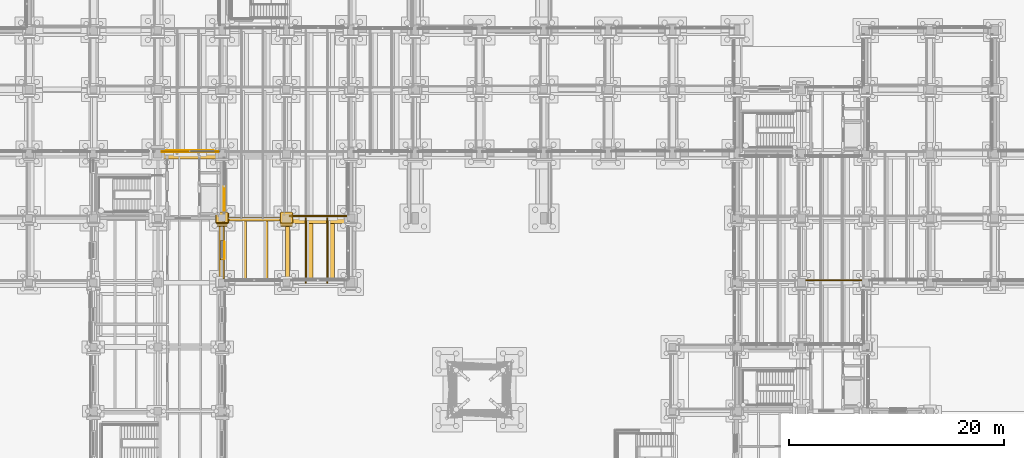
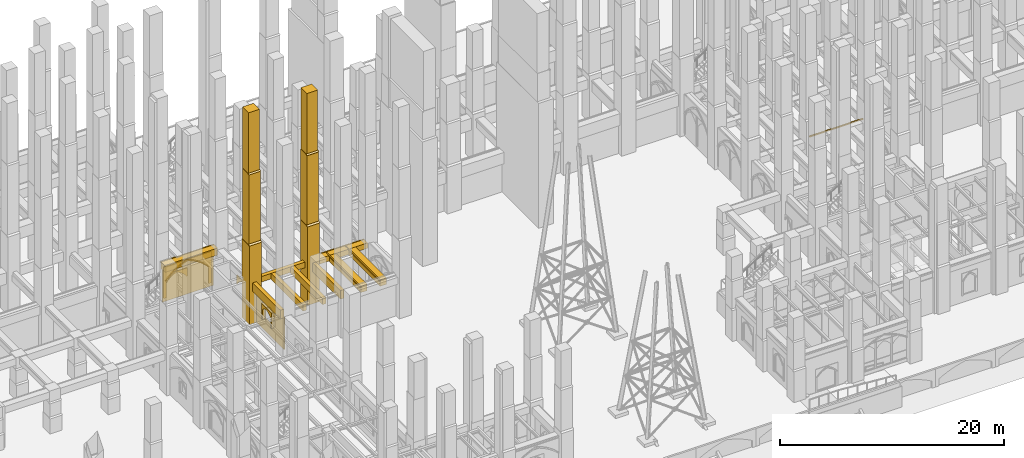
# One storey, part 108 of 135: 32 coverings.
"""IFC4 building model written with IfcOpenShell, lengths in metres."""

from ifc_helpers import new_model, si_unit, direction, frame, origin, origin_2d, place, context, subcontext, project, spatial, polyline, rectangle, outline, extrude, material, type_object, element, save


model = new_model("IFC4")

# Units and contexts
model_context = context("Model", 3, precision=1e-05, world=origin(), true_north=direction((0.0, 1.0)))
body_context = subcontext(model_context, "Body", "Model", "MODEL_VIEW")
ifc_project = project(units=[si_unit("LENGTHUNIT", "METRE"), si_unit("AREAUNIT", "SQUARE_METRE"), si_unit("VOLUMEUNIT", "CUBIC_METRE"), si_unit("PLANEANGLEUNIT", "RADIAN"), si_unit("MASSUNIT", "GRAM", prefix="KILO")], contexts=[model_context])

# Site, building, storey
site_placement = place(None, origin())
site = spatial("IfcSite", under=ifc_project, at=site_placement, CompositionType="ELEMENT")
building_placement = place(site_placement, origin())
building = spatial("IfcBuilding", under=site, at=building_placement, Name="Cumevento Cable Car Station", CompositionType="ELEMENT")
storey_placement = place(building_placement, origin())
storey = spatial("IfcBuildingStorey", under=building, at=storey_placement, Name="L01", CompositionType="ELEMENT", Elevation=0.0)

# Coverings
ifc_material = material(Name="Gnaisse Facoidal Stone Ashlar 85 MPa", Category="masonry")
covering_type = type_object("IfcCoveringType", Name="Gnaisse Ashlar Cladding CV-CL01", PredefinedType="CLADDING", material=ifc_material)
covering_1_placement = place(storey_placement, frame((70.0, 38.909912109375, -0.06005859375), z_axis=(0.0, 0.0, 1.0), x_axis=(1.0, 0.0, 0.0)))
element("IfcCovering", 1, at=covering_1_placement, inside=storey, type_object=covering_type, Name="Stepped Gothic Stone Buttress Tier 1 bt:70.0:39.0", PredefinedType="CLADDING", context=body_context, shape_type="SweptSolid", body=[
    extrude(rectangle(XDim=1.239990234375, YDim=1.300048828125, at=origin_2d()), origin(), (0.0, 0.0, 1.0), 8.595703125),
])
covering_2_placement = place(storey_placement, frame((69.360107421875, 38.239990234375, 8.515625), z_axis=(0.0, -0.711135781079, 0.703054692658), x_axis=(1.0, 0.0, 0.0)))
element("IfcCovering", 2, at=covering_2_placement, inside=storey, type_object=covering_type, Name="Gothic Buttress Sloped Stone Weathering 1 bt:70.0:39.0", PredefinedType="CLADDING", context=body_context, shape_type="SweptSolid", body=[
    extrude(outline(polyline([(0.0, 0.0), (1.27978515625, 0.0), (1.27978515625, 0.24169083397703695), (0.0, 0.24169083397703695), (0.0, 0.0)])), origin(), (0.0, 0.0, -1.0), 0.090087890625),
])
covering_3_placement = place(storey_placement, frame((70.0, 38.969970703125, 8.0830078125), z_axis=(0.0, 0.0, 1.0), x_axis=(1.0, 0.0, 0.0)))
element("IfcCovering", 3, at=covering_3_placement, inside=storey, type_object=covering_type, Name="Stepped Gothic Stone Buttress Tier 2 bt:70.0:39.0", PredefinedType="CLADDING", context=body_context, shape_type="SweptSolid", body=[
    extrude(rectangle(XDim=1.179931640625, YDim=1.179931640625, at=origin_2d()), origin(), (0.0, 0.0, 1.0), 8.143310546875),
])
covering_4_placement = place(storey_placement, frame((69.389892578125, 38.360107421875, 16.206298828125), z_axis=(0.0, -0.714474823669, 0.699661151089), x_axis=(1.0, 0.0, 0.0)))
element("IfcCovering", 4, at=covering_4_placement, inside=storey, type_object=covering_type, Name="Gothic Buttress Sloped Stone Weathering 2 bt:70.0:39.0", PredefinedType="CLADDING", context=body_context, shape_type="SweptSolid", body=[
    extrude(outline(polyline([(0.0, 0.0), (1.22021484375, 0.0), (1.22021484375, 0.21424991728737655), (0.0, 0.21424991728737655), (0.0, 0.0)])), origin(), (0.0, 0.0, -1.0), 0.090087890625),
])
covering_5_placement = place(storey_placement, frame((70.0, 39.02001953125, 15.77392578125), z_axis=(0.0, 0.0, 1.0), x_axis=(1.0, 0.0, 0.0)))
element("IfcCovering", 5, at=covering_5_placement, inside=storey, type_object=covering_type, Name="Stepped Gothic Stone Buttress Tier 3 bt:70.0:39.0", PredefinedType="CLADDING", context=body_context, shape_type="SweptSolid", body=[
    extrude(rectangle(XDim=1.1201171875, YDim=1.080078125, at=origin_2d()), origin(), (0.0, 0.0, 1.0), 7.1259765625),
])
covering_6_placement = place(storey_placement, frame((76.0, 38.909912109375, -0.06005859375), z_axis=(0.0, 0.0, 1.0), x_axis=(1.0, 0.0, 0.0)))
element("IfcCovering", 6, at=covering_6_placement, inside=storey, type_object=covering_type, Name="Stepped Gothic Stone Buttress Tier 1 bt:76.0:39.0", PredefinedType="CLADDING", context=body_context, shape_type="SweptSolid", body=[
    extrude(rectangle(XDim=1.239990234375, YDim=1.300048828125, at=origin_2d()), origin(), (0.0, 0.0, 1.0), 8.595703125),
])
covering_7_placement = place(storey_placement, frame((75.360107421875, 38.239990234375, 8.515625), z_axis=(0.0, -0.711135781079, 0.703054692658), x_axis=(1.0, 0.0, 0.0)))
element("IfcCovering", 7, at=covering_7_placement, inside=storey, type_object=covering_type, Name="Gothic Buttress Sloped Stone Weathering 1 bt:76.0:39.0", PredefinedType="CLADDING", context=body_context, shape_type="SweptSolid", body=[
    extrude(outline(polyline([(0.0, 0.0), (1.27978515625, 0.0), (1.27978515625, 0.24169083397703695), (0.0, 0.24169083397703695), (0.0, 0.0)])), origin(), (0.0, 0.0, -1.0), 0.090087890625),
])
covering_8_placement = place(storey_placement, frame((76.0, 38.969970703125, 8.0830078125), z_axis=(0.0, 0.0, 1.0), x_axis=(1.0, 0.0, 0.0)))
element("IfcCovering", 8, at=covering_8_placement, inside=storey, type_object=covering_type, Name="Stepped Gothic Stone Buttress Tier 2 bt:76.0:39.0", PredefinedType="CLADDING", context=body_context, shape_type="SweptSolid", body=[
    extrude(rectangle(XDim=1.179931640625, YDim=1.179931640625, at=origin_2d()), origin(), (0.0, 0.0, 1.0), 8.143310546875),
])
covering_9_placement = place(storey_placement, frame((75.389892578125, 38.360107421875, 16.206298828125), z_axis=(0.0, -0.714474823669, 0.699661151089), x_axis=(1.0, 0.0, 0.0)))
element("IfcCovering", 9, at=covering_9_placement, inside=storey, type_object=covering_type, Name="Gothic Buttress Sloped Stone Weathering 2 bt:76.0:39.0", PredefinedType="CLADDING", context=body_context, shape_type="SweptSolid", body=[
    extrude(outline(polyline([(0.0, 0.0), (1.22021484375, 0.0), (1.22021484375, 0.21424991728737655), (0.0, 0.21424991728737655), (0.0, 0.0)])), origin(), (0.0, 0.0, -1.0), 0.090087890625),
])
covering_10_placement = place(storey_placement, frame((76.0, 39.02001953125, 15.77392578125), z_axis=(0.0, 0.0, 1.0), x_axis=(1.0, 0.0, 0.0)))
element("IfcCovering", 10, at=covering_10_placement, inside=storey, type_object=covering_type, Name="Stepped Gothic Stone Buttress Tier 3 bt:76.0:39.0", PredefinedType="CLADDING", context=body_context, shape_type="SweptSolid", body=[
    extrude(rectangle(XDim=1.1201171875, YDim=1.080078125, at=origin_2d()), origin(), (0.0, 0.0, 1.0), 7.1259765625),
])
covering_11_placement = place(storey_placement, frame((69.909912109375, 36.012451171875, 3.44189453125), z_axis=(0.0, 0.0, 1.0), x_axis=(0.0, -1.0, 0.0)))
element("IfcCovering", 11, at=covering_11_placement, inside=storey, type_object=covering_type, Name="Gothic Stone Spandrel Stringcourse sc:0039", PredefinedType="CLADDING", context=body_context, shape_type="SweptSolid", body=[
    extrude(rectangle(XDim=5.385009765625, YDim=0.3798828125, at=origin_2d()), origin(), (0.0, 0.0, 1.0), 0.947998046875),
])
covering_12_placement = place(storey_placement, frame((67.0, 44.85009765625, 3.636962890625), z_axis=(0.0, 0.0, 1.0), x_axis=(1.0, 0.0, 0.0)))
element("IfcCovering", 12, at=covering_12_placement, inside=storey, type_object=covering_type, Name="Gothic Stone Spandrel Stringcourse sc:0041", PredefinedType="CLADDING", context=body_context, shape_type="SweptSolid", body=[
    extrude(rectangle(XDim=5.43994140625, YDim=0.659912109375, at=origin_2d()), origin(), (0.0, 0.0, 1.0), 0.7529296875),
])
covering_13_placement = place(storey_placement, frame((67.0, 45.20751953125, 4.260009765625), z_axis=(0.0, 0.0, 1.0), x_axis=(1.0, 0.0, 0.0)))
element("IfcCovering", 13, at=covering_13_placement, inside=storey, type_object=covering_type, Name="Gothic Cornice Dripstone Lip sc:0041", PredefinedType="CLADDING", context=body_context, shape_type="SweptSolid", body=[
    extrude(rectangle(XDim=5.47998046875, YDim=0.114990234375, at=origin_2d()), origin(), (0.0, 0.0, 1.0), 0.1298828125),
])
covering_14_placement = place(storey_placement, frame((72.96240234375, 38.909912109375, 3.783935546875), z_axis=(0.0, 0.0, 1.0), x_axis=(1.0, 0.0, 0.0)))
element("IfcCovering", 14, at=covering_14_placement, inside=storey, type_object=covering_type, Name="Gothic Stone Spandrel Stringcourse sc:0046", PredefinedType="CLADDING", context=body_context, shape_type="SweptSolid", body=[
    extrude(rectangle(XDim=5.3349609375, YDim=0.3798828125, at=origin_2d()), origin(), (0.0, 0.0, 1.0), 0.60595703125),
])
covering_15_placement = place(storey_placement, frame((79.012451171875, 38.850830078125, 3.7978515625), z_axis=(0.0, 0.0, 1.0), x_axis=(1.0, 0.0, 0.0)))
element("IfcCovering", 15, at=covering_15_placement, inside=storey, type_object=covering_type, Name="Gothic Stone Spandrel Stringcourse sc:0047", PredefinedType="CLADDING", context=body_context, shape_type="SweptSolid", body=[
    extrude(rectangle(XDim=5.465087890625, YDim=0.66162109375, at=origin_2d()), origin(), (0.0, 0.0, 1.0), 0.592041015625),
])
covering_16_placement = place(storey_placement, frame((79.012451171875, 39.208984375, 4.260009765625), z_axis=(0.0, 0.0, 1.0), x_axis=(1.0, 0.0, 0.0)))
element("IfcCovering", 16, at=covering_16_placement, inside=storey, type_object=covering_type, Name="Gothic Cornice Dripstone Lip sc:0047", PredefinedType="CLADDING", context=body_context, shape_type="SweptSolid", body=[
    extrude(rectangle(XDim=5.5048828125, YDim=0.114990234375, at=origin_2d()), origin(), (0.0, 0.0, 1.0), 0.1298828125),
])
covering_17_placement = place(storey_placement, frame((76.090087890625, 35.96240234375, 3.44189453125), z_axis=(0.0, 0.0, 1.0), x_axis=(0.0, 1.0, 0.0)))
element("IfcCovering", 17, at=covering_17_placement, inside=storey, type_object=covering_type, Name="Gothic Stone Spandrel Stringcourse sc:0050", PredefinedType="CLADDING", context=body_context, shape_type="SweptSolid", body=[
    extrude(rectangle(XDim=5.3349609375, YDim=0.3798828125, at=origin_2d()), origin(), (0.0, 0.0, 1.0), 0.947998046875),
])
covering_18_placement = place(storey_placement, frame((127.012451171875, 33.20751953125, 4.260009765625), z_axis=(0.0, 0.0, 1.0), x_axis=(1.0, 0.0, 0.0)))
element("IfcCovering", 18, at=covering_18_placement, inside=storey, type_object=covering_type, Name="Gothic Cornice Dripstone Lip sc:0186", PredefinedType="CLADDING", context=body_context, shape_type="SweptSolid", body=[
    extrude(rectangle(XDim=5.554931640625, YDim=0.114990234375, at=origin_2d()), origin(), (0.0, 0.0, 1.0), 0.1298828125),
])
for number, where, z_axis, x_axis, name in (
    (19, (72.090087890625, 36.007568359375, 3.69482421875), (0.0, 0.0, 1.0), (0.0, 1.0, 0.0), "Gothic Stone Spandrel Stringcourse sc:0242"),
    (20, (74.090087890625, 36.007568359375, 3.69482421875), (0.0, 0.0, 1.0), (0.0, 1.0, 0.0), "Gothic Stone Spandrel Stringcourse sc:0244"),
):
    element("IfcCovering", number, at=place(storey_placement, frame(where, z_axis=z_axis, x_axis=x_axis)), inside=storey, type_object=covering_type, Name=name, PredefinedType="CLADDING", context=body_context, shape_type="SweptSolid", body=[
        extrude(rectangle(XDim=5.9208984375, YDim=0.3798828125, at=origin_2d()), origin(), (0.0, 0.0, 1.0), 0.695068359375),
    ])
covering_19_placement = place(storey_placement, frame((78.14990234375, 35.99365234375, 3.69482421875), z_axis=(0.0, 0.0, 1.0), x_axis=(0.0, 1.0, 0.0)))
element("IfcCovering", 21, at=covering_19_placement, inside=storey, type_object=covering_type, Name="Gothic Stone Spandrel Stringcourse sc:0246", PredefinedType="CLADDING", context=body_context, shape_type="SweptSolid", body=[
    extrude(rectangle(XDim=6.073486328125, YDim=0.659912109375, at=origin_2d()), origin(), (0.0, 0.0, 1.0), 0.695068359375),
])
covering_20_placement = place(storey_placement, frame((77.79248046875, 35.99365234375, 4.260009765625), z_axis=(0.0, 0.0, 1.0), x_axis=(0.0, 1.0, 0.0)))
element("IfcCovering", 22, at=covering_20_placement, inside=storey, type_object=covering_type, Name="Gothic Cornice Dripstone Lip sc:0246", PredefinedType="CLADDING", context=body_context, shape_type="SweptSolid", body=[
    extrude(rectangle(XDim=6.113525390625, YDim=0.114990234375, at=origin_2d()), origin(), (0.0, 0.0, 1.0), 0.1298828125),
])
covering_21_placement = place(storey_placement, frame((80.14990234375, 35.99365234375, 3.69482421875), z_axis=(0.0, 0.0, 1.0), x_axis=(0.0, 1.0, 0.0)))
element("IfcCovering", 23, at=covering_21_placement, inside=storey, type_object=covering_type, Name="Gothic Stone Spandrel Stringcourse sc:0248", PredefinedType="CLADDING", context=body_context, shape_type="SweptSolid", body=[
    extrude(rectangle(XDim=6.073486328125, YDim=0.659912109375, at=origin_2d()), origin(), (0.0, 0.0, 1.0), 0.695068359375),
])
covering_22_placement = place(storey_placement, frame((79.79248046875, 35.99365234375, 4.260009765625), z_axis=(0.0, 0.0, 1.0), x_axis=(0.0, 1.0, 0.0)))
element("IfcCovering", 24, at=covering_22_placement, inside=storey, type_object=covering_type, Name="Gothic Cornice Dripstone Lip sc:0248", PredefinedType="CLADDING", context=body_context, shape_type="SweptSolid", body=[
    extrude(rectangle(XDim=6.113525390625, YDim=0.114990234375, at=origin_2d()), origin(), (0.0, 0.0, 1.0), 0.1298828125),
])
covering_23_placement = place(storey_placement, frame((70.0, 38.675048828125, 0.0), z_axis=(0.0, 0.0, 1.0), x_axis=(0.0, -1.0, 0.0)))
element("IfcCovering", 25, at=covering_23_placement, inside=storey, type_object=covering_type, Name="Exterior Gnaisse Stone Wall Ashlar #135", PredefinedType="CLADDING", context=body_context, shape_type="SweptSolid", body=[
    extrude(outline(polyline([(-0.0400390625, -0.02001953125), (5.364990234375, -0.02001953125), (5.364990234375, 3.52197265625), (-0.0400390625, 3.52197265625), (-0.0400390625, -0.02001953125)]), holes=[polyline([(1.947509765625, 1.31005859375), (3.37744140625, 1.31005859375), (3.37744140625, 2.739990234375), (1.947509765625, 2.739990234375), (1.947509765625, 1.31005859375)])]), frame((0.0, 0.177490234375, 0.0), z_axis=(0.0, -1.0, 0.0), x_axis=(1.0, 0.0, 0.0)), (0.0, 0.0, 1.0), 0.0849609375),
])
covering_24_placement = place(storey_placement, frame((70.0, 36.87744140625, 1.25), z_axis=(0.0, 0.0, 1.0), x_axis=(0.0, -1.0, 0.0)))
element("IfcCovering", 26, at=covering_24_placement, inside=storey, type_object=covering_type, Name="Gothic Ogival Pointed-Arch Stone Spandrel op_ogival:0135:1", PredefinedType="CLADDING", context=body_context, shape_type="SweptSolid", body=[
    extrude(outline(polyline([(-0.0400390625, 0.0), (-0.0400390625, 1.719970703125), (1.77001953125, 1.719970703125), (1.77001953125, 0.0), (1.590087890625, 0.0), (1.590087890625, 1.093994140625), (1.501708984375, 1.179443359375), (1.407470703125, 1.25830078125), (1.3076171875, 1.330078125), (1.202880859375, 1.39453125), (1.093994140625, 1.451171875), (0.98095703125, 1.499755859375), (0.864990234375, 1.5400390625), (0.7490234375, 1.499755859375), (0.635986328125, 1.451171875), (0.527099609375, 1.39453125), (0.42236328125, 1.330078125), (0.322509765625, 1.25830078125), (0.228271484375, 1.179443359375), (0.139892578125, 1.093994140625), (0.139892578125, 0.0), (-0.0400390625, 0.0)])), frame((0.0, 0.215576171875, 0.0), z_axis=(0.0, -1.0, 0.0), x_axis=(1.0, 0.0, 0.0)), (0.0, 0.0, 1.0), 0.385009765625),
])
covering_25_placement = place(storey_placement, frame((70.0, 36.87744140625, 2.343994140625), z_axis=(0.0, 0.0, 1.0), x_axis=(0.0, -1.0, 0.0)))
element("IfcCovering", 27, at=covering_25_placement, inside=storey, type_object=covering_type, Name="Gothic Pointed Archivolt Hood Moulding op_ogival:0135:1", PredefinedType="CLADDING", context=body_context, shape_type="SweptSolid", body=[
    extrude(outline(polyline([(0.139892578125, 0.0), (0.228271484375, 0.08544921875), (0.322509765625, 0.164306640625), (0.42236328125, 0.236083984375), (0.527099609375, 0.300537109375), (0.635986328125, 0.357177734375), (0.7490234375, 0.40576171875), (0.864990234375, 0.446044921875), (0.98095703125, 0.40576171875), (1.093994140625, 0.357177734375), (1.202880859375, 0.300537109375), (1.3076171875, 0.236083984375), (1.407470703125, 0.164306640625), (1.501708984375, 0.08544921875), (1.590087890625, 0.0), (1.68896484375, 0.0), (1.592529296875, 0.108154296875), (1.488037109375, 0.20849609375), (1.375732421875, 0.30029296875), (1.25634765625, 0.382568359375), (1.131103515625, 0.455322265625), (1.000244140625, 0.517822265625), (0.864990234375, 0.56982421875), (0.729736328125, 0.517822265625), (0.598876953125, 0.455322265625), (0.4736328125, 0.382568359375), (0.354248046875, 0.30029296875), (0.241943359375, 0.20849609375), (0.137451171875, 0.108154296875), (0.041015625, 0.0), (0.139892578125, 0.0)])), frame((0.0, 0.257568359375, 0.0), z_axis=(0.0, -1.0, 0.0), x_axis=(1.0, 0.0, 0.0)), (0.0, 0.0, 1.0), 0.06689453125),
])
covering_26_placement = place(storey_placement, frame((64.39990234375, 45.0, 0.0), z_axis=(0.0, 0.0, 1.0), x_axis=(1.0, 0.0, 0.0)))
element("IfcCovering", 28, at=covering_26_placement, inside=storey, type_object=covering_type, Name="Exterior Gnaisse Stone Wall Ashlar #137", PredefinedType="CLADDING", context=body_context, shape_type="SweptSolid", body=[
    extrude(outline(polyline([(-0.0400390625, -0.02001953125), (5.239990234375, -0.02001953125), (5.239990234375, 3.717041015625), (-0.0400390625, 3.717041015625), (-0.0400390625, -0.02001953125)])), frame((0.0, 0.222412109375, 0.0), z_axis=(0.0, -1.0, 0.0), x_axis=(1.0, 0.0, 0.0)), (0.0, 0.0, 1.0), 0.0849609375),
])
covering_27_placement = place(storey_placement, frame((64.580078125, 45.0, 0.300048828125), z_axis=(0.0, 0.0, 1.0), x_axis=(1.0, 0.0, 0.0)))
element("IfcCovering", 29, at=covering_27_placement, inside=storey, type_object=covering_type, Name="Gothic Ogival Pointed-Arch Stone Spandrel blind_ogival:0137", PredefinedType="CLADDING", context=body_context, shape_type="SweptSolid", body=[
    extrude(outline(polyline([(-0.050048828125, 0.0), (-0.050048828125, 3.43701171875), (4.889892578125, 3.43701171875), (4.889892578125, 0.0), (4.580078125, 0.0), (4.580078125, 1.770263671875), (4.324462890625, 2.0458984375), (4.048095703125, 2.30078125), (3.7529296875, 2.533447265625), (3.440673828125, 2.74267578125), (3.113037109375, 2.927001953125), (2.772216796875, 3.08544921875), (2.419921875, 3.217041015625), (2.06787109375, 3.08544921875), (1.72705078125, 2.927001953125), (1.3994140625, 2.74267578125), (1.087158203125, 2.533447265625), (0.7919921875, 2.30078125), (0.515625, 2.0458984375), (0.260009765625, 1.770263671875), (0.260009765625, 0.0), (-0.050048828125, 0.0)])), frame((0.0, 0.277587890625, 0.0), z_axis=(0.0, -1.0, 0.0), x_axis=(1.0, 0.0, 0.0)), (0.0, 0.0, 1.0), 0.110107421875),
])
covering_28_placement = place(storey_placement, frame((64.580078125, 45.0, 2.0703125), z_axis=(0.0, 0.0, 1.0), x_axis=(1.0, 0.0, 0.0)))
element("IfcCovering", 30, at=covering_28_placement, inside=storey, type_object=covering_type, Name="Gothic Pointed Archivolt Hood Moulding blind_ogival:0137", PredefinedType="CLADDING", context=body_context, shape_type="SweptSolid", body=[
    extrude(outline(polyline([(0.260009765625, 0.0), (0.515625, 0.275634765625), (0.7919921875, 0.530517578125), (1.087158203125, 0.76318359375), (1.3994140625, 0.972412109375), (1.72705078125, 1.15673828125), (2.06787109375, 1.315185546875), (2.419921875, 1.44677734375), (2.772216796875, 1.315185546875), (3.113037109375, 1.15673828125), (3.440673828125, 0.972412109375), (3.7529296875, 0.76318359375), (4.048095703125, 0.530517578125), (4.324462890625, 0.275634765625), (4.580078125, 0.0), (4.700927734375, 0.0), (4.435791015625, 0.30322265625), (4.146728515625, 0.58447265625), (3.83642578125, 0.84130859375), (3.50634765625, 1.07275390625), (3.15869140625, 1.276611328125), (2.7958984375, 1.4521484375), (2.419921875, 1.597900390625), (2.044189453125, 1.4521484375), (1.681396484375, 1.276611328125), (1.333740234375, 1.07275390625), (1.003662109375, 0.84130859375), (0.693359375, 0.58447265625), (0.404296875, 0.30322265625), (0.138916015625, 0.0), (0.260009765625, 0.0)])), frame((0.0, 0.319580078125, 0.0), z_axis=(0.0, -1.0, 0.0), x_axis=(1.0, 0.0, 0.0)), (0.0, 0.0, 1.0), 0.06689453125),
])
covering_29_placement = place(storey_placement, frame((64.81005859375, 45.0, 1.890380859375), z_axis=(0.0, 0.0, 1.0), x_axis=(1.0, 0.0, 0.0)))
element("IfcCovering", 31, at=covering_29_placement, inside=storey, type_object=covering_type, Name="Gothic Ogival Pointed-Arch Stone Spandrel blind_ogival:0137:sub:0", PredefinedType="CLADDING", context=body_context, shape_type="SweptSolid", body=[
    extrude(outline(polyline([(-0.02001953125, 0.0), (-0.02001953125, 0.932373046875), (2.1650390625, 0.932373046875), (2.1650390625, 0.0), (2.10498046875, 0.0), (1.970703125, 0.17724609375), (1.819091796875, 0.339599609375), (1.651611328125, 0.48583984375), (1.469970703125, 0.6142578125), (1.2763671875, 0.723388671875), (1.072509765625, 0.812255859375), (0.86865234375, 0.723388671875), (0.675048828125, 0.6142578125), (0.493408203125, 0.48583984375), (0.325927734375, 0.339599609375), (0.17431640625, 0.17724609375), (0.0400390625, 0.0), (-0.02001953125, 0.0)])), frame((0.0, 0.261474609375, 0.0), z_axis=(0.0, -1.0, 0.0), x_axis=(1.0, 0.0, 0.0)), (0.0, 0.0, 1.0), 0.090087890625),
])
covering_30_placement = place(storey_placement, frame((70.0, 41.91748046875, 1.92333984375), z_axis=(0.0, 0.0, 1.0), x_axis=(0.0, -1.0, 0.0)))
element("IfcCovering", 32, at=covering_30_placement, inside=storey, type_object=covering_type, Name="Gothic Ogival Pointed-Arch Stone Spandrel blind_ogival:0139:sub:1", PredefinedType="CLADDING", context=body_context, shape_type="SweptSolid", body=[
    extrude(outline(polyline([(-0.02001953125, 0.0), (-0.02001953125, 0.94580078125), (2.202392578125, 0.94580078125), (2.202392578125, 0.0), (2.142578125, 0.0), (2.005859375, 0.18017578125), (1.851318359375, 0.345458984375), (1.6806640625, 0.494140625), (1.495849609375, 0.62451171875), (1.298828125, 0.735595703125), (1.09130859375, 0.82568359375), (0.8837890625, 0.735595703125), (0.686767578125, 0.62451171875), (0.501953125, 0.494140625), (0.331298828125, 0.345458984375), (0.1767578125, 0.18017578125), (0.0400390625, 0.0), (-0.02001953125, 0.0)])), frame((0.0, 0.261474609375, 0.0), z_axis=(0.0, -1.0, 0.0), x_axis=(1.0, 0.0, 0.0)), (0.0, 0.0, 1.0), 0.090087890625),
])

save(model, "model.ifc")
